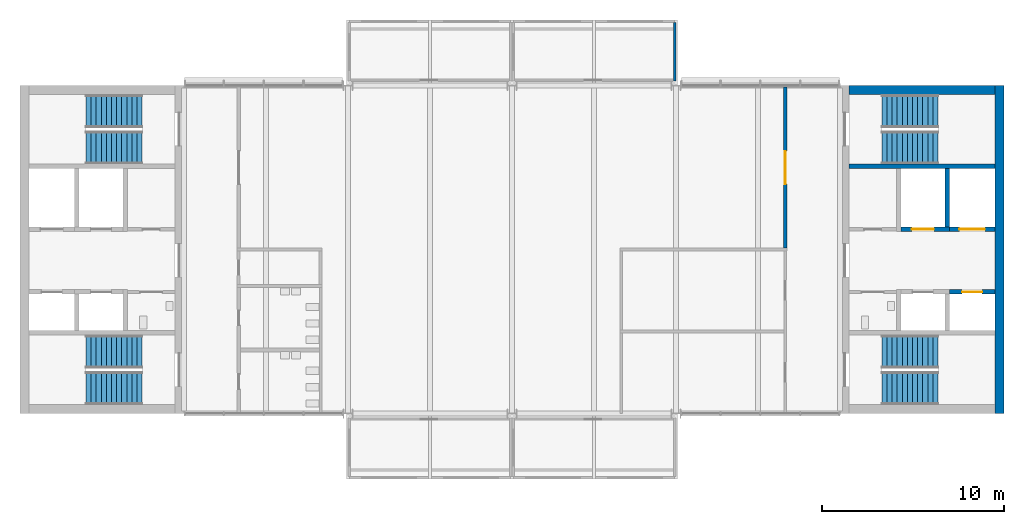
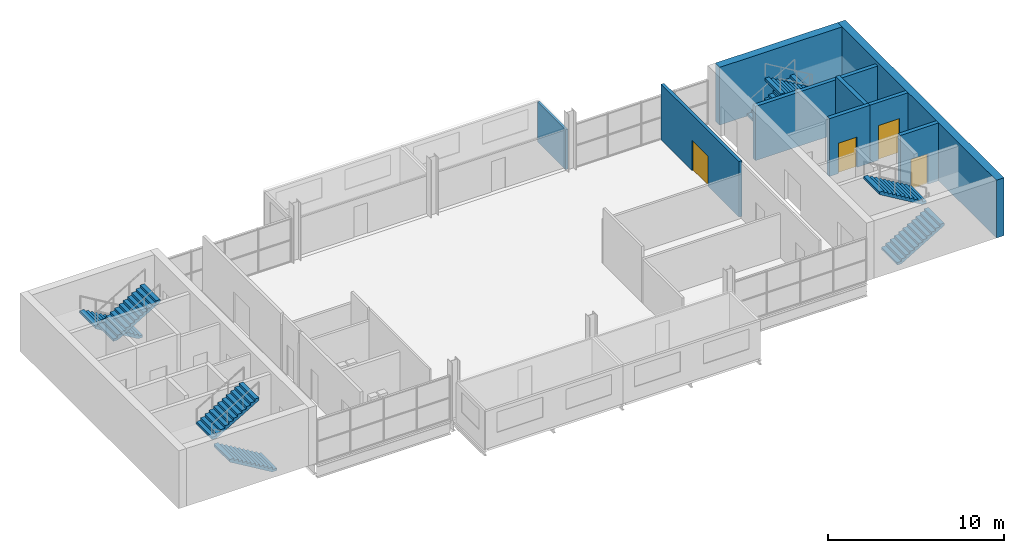
# One storey, part 7 of 10: 9 walls, 8 stair flights, 4 doors, 4 openings, 4 elements without a shape of their own.
"""IFC4 building model written with IfcOpenShell, lengths in metres."""

from ifc_helpers import new_model, si_unit, direction, frame, frame_2d, origin, place, context, subcontext, project, spatial, polyline, rectangle, outline, extrude, material, layer, layer_set, type_object, element, fill, aggregate, save


model = new_model("IFC4")

# Units and contexts
model_context = context("Model", 3, precision=1e-05, world=origin(), true_north=direction((0.0, 1.0)))
body_context = subcontext(model_context, "Body", "Model", "MODEL_VIEW")
ifc_project = project(units=[si_unit("LENGTHUNIT", "METRE"), si_unit("AREAUNIT", "SQUARE_METRE"), si_unit("VOLUMEUNIT", "CUBIC_METRE"), si_unit("PLANEANGLEUNIT", "RADIAN"), si_unit("MASSUNIT", "GRAM", prefix="KILO")], contexts=[model_context])

# Site, building, storey
site_placement = place(None, origin())
site = spatial("IfcSite", under=ifc_project, at=site_placement, CompositionType="ELEMENT")
building_placement = place(site_placement, origin())
building = spatial("IfcBuilding", under=site, at=building_placement, Name="Corbel Yard City Hall", CompositionType="ELEMENT")
storey_placement = place(building_placement, frame((0.0, 0.0, 23.199951171875)))
storey = spatial("IfcBuildingStorey", under=building, at=storey_placement, Name="L05", CompositionType="ELEMENT", Elevation=23.199951171875)

# Wall
ifc_material_1 = material(Name="Concrete N40 (40 MPa)", Category="concrete")
ifc_layer_1 = layer(ifc_material_1, 0.25)
ifc_layer_set_1 = layer_set([ifc_layer_1], Name="Concrete N40 (40 MPa)")
wall_type_1 = type_object("IfcWallType", Name="IW2", PredefinedType="SOLIDWALL", material=ifc_layer_set_1)
wall_1_placement = place(storey_placement, frame((45.5, 112.574951171875, 0.0), z_axis=(0.0, 0.0, 1.0), x_axis=(1.0, 0.0, 0.0)))
element("IfcWall", 1, at=wall_1_placement, inside=storey, type_object=wall_type_1, Name="Stair enclosure wall", PredefinedType="SOLIDWALL", context=body_context, shape_type="SweptSolid", body=[
    extrude(rectangle(XDim=8.0, YDim=0.25, at=frame_2d((4.0, 0.0))), origin(), (0.0, 0.0, 1.0), 3.75),
])

# Wall, opening, door
wall_2_placement = place(storey_placement, frame((51.0, 105.675048828125, 0.0), z_axis=(0.0, 0.0, 1.0), x_axis=(1.0, 0.0, 0.0)))
wall_2 = element("IfcWall", 2, at=wall_2_placement, inside=storey, type_object=wall_type_1, Name="Lift LP26 shaft wall", PredefinedType="SOLIDWALL", context=body_context, shape_type="SweptSolid", body=[
    extrude(rectangle(XDim=2.5, YDim=0.25, at=frame_2d((1.25, 0.0))), origin(), (0.0, 0.0, 1.0), 4.0),
])
opening_1_placement = place(wall_2_placement, frame((0.699951171875, 0.0, 0.0)))
opening_1 = element("IfcOpeningElement", 3, at=opening_1_placement, cuts=wall_2, Name="Opening T1-010", PredefinedType="OPENING", context=body_context, shape_type="SweptSolid", body=[
    extrude(rectangle(XDim=1.10009765625, YDim=2.10009765625, at=frame_2d((0.550048828125, 1.050048828125))), frame((0.0, 0.135009765625, 0.0), z_axis=(0.0, -1.0, 0.0), x_axis=(1.0, 0.0, 0.0)), (0.0, 0.0, 1.0), 0.27001953125),
])
ifc_material_2 = material(Name="Stainless steel Grade 316", Category="steel")
door_type_1 = type_object("IfcDoorType", Name="LD1", OperationType="DOUBLE_DOOR_SLIDING", PredefinedType="DOOR", material=ifc_material_2)
door_1_placement = place(opening_1_placement, origin())
door_1 = element("IfcDoor", 4, at=door_1_placement, inside=storey, type_object=door_type_1, Name="Lift LP26 landing door", OperationType="DOUBLE_DOOR_SLIDING", OverallHeight=2.10009765625, OverallWidth=1.10009765625, PredefinedType="DOOR", context=body_context, shape_type="SweptSolid", body=[
    extrude(rectangle(XDim=1.10009765625, YDim=2.10009765625, at=frame_2d((0.550048828125, 1.050048828125))), frame((0.0, 0.02490234375, 0.0), z_axis=(0.0, -1.0, 0.0), x_axis=(1.0, 0.0, 0.0)), (0.0, 0.0, 1.0), 0.050048828125),
])
fill(opening_1, door_1)

# Wall
wall_3_placement = place(storey_placement, frame((50.875, 109.25, 0.0), z_axis=(0.0, 0.0, 1.0), x_axis=(0.0, 1.0, 0.0)))
element("IfcWall", 5, at=wall_3_placement, inside=storey, type_object=wall_type_1, Name="Lift LF2 shaft wall", PredefinedType="SOLIDWALL", context=body_context, shape_type="SweptSolid", body=[
    extrude(rectangle(XDim=3.199951171875, YDim=0.25, at=frame_2d((1.60009765625, 0.0))), origin(), (0.0, 0.0, 1.0), 4.0),
])

# Wall, opening, door
wall_4_placement = place(storey_placement, frame((48.35009765625, 109.125, 0.0), z_axis=(0.0, 0.0, 1.0), x_axis=(1.0, 0.0, 0.0)))
wall_4 = element("IfcWall", 6, at=wall_4_placement, inside=storey, type_object=wall_type_1, Name="Lift LF2 shaft wall", PredefinedType="SOLIDWALL", context=body_context, shape_type="SweptSolid", body=[
    extrude(rectangle(XDim=2.64990234375, YDim=0.25, at=frame_2d((1.324951171875, 0.0))), origin(), (0.0, 0.0, 1.0), 4.0),
])
opening_2_placement = place(wall_4_placement, frame((0.60009765625, 0.0, 0.0)))
opening_2 = element("IfcOpeningElement", 7, at=opening_2_placement, cuts=wall_4, Name="Opening T1-011", PredefinedType="OPENING", context=body_context, shape_type="SweptSolid", body=[
    extrude(rectangle(XDim=1.199951171875, YDim=2.10009765625, at=frame_2d((0.60009765625, 1.050048828125))), frame((0.0, 0.135009765625, 0.0), z_axis=(0.0, -1.0, 0.0), x_axis=(1.0, 0.0, 0.0)), (0.0, 0.0, 1.0), 0.27001953125),
])
door_type_2 = type_object("IfcDoorType", Name="LD2", OperationType="DOUBLE_DOOR_SLIDING", PredefinedType="DOOR", material=ifc_material_2)
door_2_placement = place(opening_2_placement, origin())
door_2 = element("IfcDoor", 8, at=door_2_placement, inside=storey, type_object=door_type_2, Name="Lift LF2 landing door", OperationType="DOUBLE_DOOR_SLIDING", OverallHeight=2.10009765625, OverallWidth=1.199951171875, PredefinedType="DOOR", context=body_context, shape_type="SweptSolid", body=[
    extrude(rectangle(XDim=1.199951171875, YDim=2.10009765625, at=frame_2d((0.60009765625, 1.050048828125))), frame((0.0, 0.02490234375, 0.0), z_axis=(0.0, -1.0, 0.0), x_axis=(1.0, 0.0, 0.0)), (0.0, 0.0, 1.0), 0.050048828125),
])
fill(opening_2, door_2)

wall_5_placement = place(storey_placement, frame((51.0, 109.125, 0.0), z_axis=(0.0, 0.0, 1.0), x_axis=(1.0, 0.0, 0.0)))
wall_5 = element("IfcWall", 9, at=wall_5_placement, inside=storey, type_object=wall_type_1, Name="Lift LG1 shaft wall", PredefinedType="SOLIDWALL", context=body_context, shape_type="SweptSolid", body=[
    extrude(rectangle(XDim=2.5, YDim=0.25, at=frame_2d((1.25, 0.0))), origin(), (0.0, 0.0, 1.0), 4.0),
])
opening_3_placement = place(wall_5_placement, frame((0.550048828125, 0.0, 0.0)))
opening_3 = element("IfcOpeningElement", 10, at=opening_3_placement, cuts=wall_5, Name="Opening T1-012", PredefinedType="OPENING", context=body_context, shape_type="SweptSolid", body=[
    extrude(rectangle(XDim=1.39990234375, YDim=2.39990234375, at=frame_2d((0.699951171875, 1.199951171875))), frame((0.0, 0.135009765625, 0.0), z_axis=(0.0, -1.0, 0.0), x_axis=(1.0, 0.0, 0.0)), (0.0, 0.0, 1.0), 0.27001953125),
])
door_type_3 = type_object("IfcDoorType", Name="LD3", OperationType="DOUBLE_DOOR_SLIDING", PredefinedType="DOOR", material=ifc_material_2)
door_3_placement = place(opening_3_placement, origin())
door_3 = element("IfcDoor", 11, at=door_3_placement, inside=storey, type_object=door_type_3, Name="Lift LG1 landing door", OperationType="DOUBLE_DOOR_SLIDING", OverallHeight=2.39990234375, OverallWidth=1.39990234375, PredefinedType="DOOR", context=body_context, shape_type="SweptSolid", body=[
    extrude(rectangle(XDim=1.39990234375, YDim=2.39990234375, at=frame_2d((0.699951171875, 1.199951171875))), frame((0.0, 0.02490234375, 0.0), z_axis=(0.0, -1.0, 0.0), x_axis=(1.0, 0.0, 0.0)), (0.0, 0.0, 1.0), 0.050048828125),
])
fill(opening_3, door_3)

# Wall
ifc_material_3 = material(Name="Anodised aluminium", Category="aluminium")
ifc_layer_2 = layer(ifc_material_3, 0.02392578125)
ifc_material_4 = material(Name="Steel Grade G550 (550 MPa yield)", Category="steel")
ifc_layer_3 = layer(ifc_material_4, 0.10009765625)
ifc_material_5 = material(Name="Gypsum plasterboard", Category="gypsum")
ifc_layer_4 = layer(ifc_material_5, 0.02587890625)
ifc_layer_set_2 = layer_set([ifc_layer_2, ifc_layer_3, ifc_layer_4], Name="Steel Grade G550 (550 MPa yield)")
wall_type_2 = type_object("IfcWallType", Name="PD3", PredefinedType="SOLIDWALL", material=ifc_layer_set_2)
wall_6_placement = place(storey_placement, frame((35.925048828125, 120.449951171875, -0.14990234375), z_axis=(0.0, 0.0, 1.0), x_axis=(0.0, -1.0, 0.0)))
element("IfcWall", 12, at=wall_6_placement, inside=storey, type_object=wall_type_2, Name="Pod side wall L05", PredefinedType="SOLIDWALL", context=body_context, shape_type="SweptSolid", body=[
    extrude(rectangle(XDim=3.199951171875, YDim=0.14990234375, at=frame_2d((1.60009765625, 0.0))), origin(), (0.0, 0.0, 1.0), 2.75),
])

# Wall, opening, door
ifc_layer_5 = layer(ifc_material_5, 0.031982421875)
ifc_layer_6 = layer(ifc_material_4, 0.135986328125)
ifc_layer_7 = layer(ifc_material_5, 0.031982421875)
ifc_layer_set_3 = layer_set([ifc_layer_5, ifc_layer_6, ifc_layer_7], Name="Steel Grade G550 (550 MPa yield)")
wall_type_3 = type_object("IfcWallType", Name="PT2", PredefinedType="PARTITIONING", material=ifc_layer_set_3)
wall_7_placement = place(storey_placement, frame((42.0, 108.074951171875, 0.0), z_axis=(0.0, 0.0, 1.0), x_axis=(0.0, 1.0, 0.0)))
wall_7 = element("IfcWall", 13, at=wall_7_placement, inside=storey, type_object=wall_type_3, Name="Acoustic wall", PredefinedType="PARTITIONING", context=body_context, shape_type="SweptSolid", body=[
    extrude(rectangle(XDim=8.8349609375, YDim=0.199951171875, at=frame_2d((4.41748046875, 0.0))), origin(), (0.0, 0.0, 1.0), 3.85009765625),
])
opening_4_placement = place(wall_7_placement, frame((3.52490234375, 0.0, 0.0)))
opening_4 = element("IfcOpeningElement", 14, at=opening_4_placement, cuts=wall_7, Name="Opening T1-017", PredefinedType="OPENING", context=body_context, shape_type="SweptSolid", body=[
    extrude(rectangle(XDim=1.800048828125, YDim=2.10009765625, at=frame_2d((0.89990234375, 1.050048828125))), frame((0.0, 0.10986328125, 0.0), z_axis=(0.0, -1.0, 0.0), x_axis=(1.0, 0.0, 0.0)), (0.0, 0.0, 1.0), 0.219970703125),
])
ifc_material_6 = material(Name="Timber", Category="wood")
door_type_4 = type_object("IfcDoorType", Name="D3", OperationType="DOUBLE_DOOR_SINGLE_SWING", PredefinedType="DOOR", material=ifc_material_6)
door_4_placement = place(opening_4_placement, origin())
door_4 = element("IfcDoor", 15, at=door_4_placement, inside=storey, type_object=door_type_4, Name="Door Open Office 0506", OperationType="DOUBLE_DOOR_SINGLE_SWING", OverallHeight=2.10009765625, OverallWidth=1.800048828125, PredefinedType="DOOR", context=body_context, shape_type="SweptSolid", body=[
    extrude(rectangle(XDim=1.800048828125, YDim=2.10009765625, at=frame_2d((0.89990234375, 1.050048828125))), frame((0.0, 0.02490234375, 0.0), z_axis=(0.0, -1.0, 0.0), x_axis=(1.0, 0.0, 0.0)), (0.0, 0.0, 1.0), 0.050048828125),
])
fill(opening_4, door_4)

# Walls
ifc_material_7 = material(Name="Concrete N50 (50 MPa)", Category="concrete")
ifc_layer_8 = layer(ifc_material_7, 0.5)
ifc_layer_set_4 = layer_set([ifc_layer_8], Name="Concrete N50 (50 MPa)")
wall_type_4 = type_object("IfcWallType", Name="Trunk wall 500", PredefinedType="SHEAR", material=ifc_layer_set_4)
wall_8_placement = place(storey_placement, frame((53.75, 99.0, 0.0), z_axis=(0.0, 0.0, 1.0), x_axis=(0.0, 1.0, 0.0)))
element("IfcWall", 16, at=wall_8_placement, inside=storey, type_object=wall_type_4, Name="Trunk E east wall", PredefinedType="SHEAR", context=body_context, shape_type="SweptSolid", body=[
    extrude(rectangle(XDim=18.0, YDim=0.5, at=frame_2d((9.0, 0.0))), origin(), (0.0, 0.0, 1.0), 4.0),
])
wall_9_placement = place(storey_placement, frame((45.5, 116.75, 0.0), z_axis=(0.0, 0.0, 1.0), x_axis=(1.0, 0.0, 0.0)))
element("IfcWall", 17, at=wall_9_placement, inside=storey, type_object=wall_type_4, Name="Trunk E north wall", PredefinedType="SHEAR", context=body_context, shape_type="SweptSolid", body=[
    extrude(rectangle(XDim=8.0, YDim=0.5, at=frame_2d((4.0, 0.0))), origin(), (0.0, 0.0, 1.0), 4.0),
])

# Stair, stair flights
stair_type = type_object("IfcStairType", Name="ST4", PredefinedType="HALF_TURN_STAIR", material=ifc_material_1)
stair_1_placement = place(storey_placement, origin())
stair_1 = element("IfcStair", 18, at=stair_1_placement, inside=storey, type_object=stair_type, Name="Exit stair ST-W1 L05", PredefinedType="HALF_TURN_STAIR")
stair_flight_type = type_object("IfcStairFlightType", Name="FL4", PredefinedType="STRAIGHT", material=ifc_material_1)
stair_flight_1_placement = place(storey_placement, frame((6.699951171875, 100.39990234375, 0.0), z_axis=(0.0, 0.0, 1.0), x_axis=(-1.0, 0.0, 0.0)))
stair_flight_1 = element("IfcStairFlight", 19, at=stair_flight_1_placement, type_object=stair_flight_type, Name="ST-W1 flight 1", NumberOfRisers=12, NumberOfTreads=11, PredefinedType="STRAIGHT", RiserHeight=0.166667, TreadLength=0.28, context=body_context, shape_type="SweptSolid", body=[
    extrude(outline(polyline([(0.0, 0.0), (0.0, 0.166748046875), (0.280029296875, 0.166748046875), (0.280029296875, 0.333251953125), (0.56005859375, 0.333251953125), (0.56005859375, 0.5), (0.840087890625, 0.5), (0.840087890625, 0.666748046875), (1.1201171875, 0.666748046875), (1.1201171875, 0.833251953125), (1.39990234375, 0.833251953125), (1.39990234375, 1.0), (1.679931640625, 1.0), (1.679931640625, 1.166748046875), (1.9599609375, 1.166748046875), (1.9599609375, 1.333251953125), (2.239990234375, 1.333251953125), (2.239990234375, 1.5), (2.52001953125, 1.5), (2.52001953125, 1.666748046875), (2.800048828125, 1.666748046875), (2.800048828125, 1.833251953125), (3.080078125, 1.833251953125), (3.080078125, 2.0), (3.080078125, 1.658935546875), (0.29296875, 0.0), (0.0, 0.0)])), frame((0.0, 0.89990234375, 0.0), z_axis=(0.0, -1.0, 0.0), x_axis=(1.0, 0.0, 0.0)), (0.0, 0.0, 1.0), 1.800048828125),
])
stair_flight_2_placement = place(storey_placement, frame((3.6201171875, 102.39990234375, 2.0), z_axis=(0.0, 0.0, 1.0), x_axis=(1.0, 0.0, 0.0)))
stair_flight_2 = element("IfcStairFlight", 20, at=stair_flight_2_placement, type_object=stair_flight_type, Name="ST-W1 flight 2", NumberOfRisers=12, NumberOfTreads=11, PredefinedType="STRAIGHT", RiserHeight=0.166667, TreadLength=0.28, context=body_context, shape_type="SweptSolid", body=[
    extrude(outline(polyline([(0.0, 0.0), (0.0, 0.166748046875), (0.280029296875, 0.166748046875), (0.280029296875, 0.333251953125), (0.56005859375, 0.333251953125), (0.56005859375, 0.5), (0.840087890625, 0.5), (0.840087890625, 0.666748046875), (1.1201171875, 0.666748046875), (1.1201171875, 0.833251953125), (1.39990234375, 0.833251953125), (1.39990234375, 1.0), (1.679931640625, 1.0), (1.679931640625, 1.166748046875), (1.9599609375, 1.166748046875), (1.9599609375, 1.333251953125), (2.239990234375, 1.333251953125), (2.239990234375, 1.5), (2.52001953125, 1.5), (2.52001953125, 1.666748046875), (2.800048828125, 1.666748046875), (2.800048828125, 1.833251953125), (3.080078125, 1.833251953125), (3.080078125, 2.0), (3.080078125, 1.658935546875), (0.29296875, 0.0), (0.0, 0.0)])), frame((0.0, 0.89990234375, 0.0), z_axis=(0.0, -1.0, 0.0), x_axis=(1.0, 0.0, 0.0)), (0.0, 0.0, 1.0), 1.800048828125),
])
aggregate(stair_1, [stair_flight_1, stair_flight_2])

stair_2_placement = place(storey_placement, origin())
stair_2 = element("IfcStair", 21, at=stair_2_placement, inside=storey, type_object=stair_type, Name="Exit stair ST-W2 L05", PredefinedType="HALF_TURN_STAIR")
stair_flight_3_placement = place(storey_placement, frame((6.699951171875, 115.60009765625, 0.0), z_axis=(0.0, 0.0, 1.0), x_axis=(-1.0, 0.0, 0.0)))
stair_flight_3 = element("IfcStairFlight", 22, at=stair_flight_3_placement, type_object=stair_flight_type, Name="ST-W2 flight 1", NumberOfRisers=12, NumberOfTreads=11, PredefinedType="STRAIGHT", RiserHeight=0.166667, TreadLength=0.28, context=body_context, shape_type="SweptSolid", body=[
    extrude(outline(polyline([(0.0, 0.0), (0.0, 0.166748046875), (0.280029296875, 0.166748046875), (0.280029296875, 0.333251953125), (0.56005859375, 0.333251953125), (0.56005859375, 0.5), (0.840087890625, 0.5), (0.840087890625, 0.666748046875), (1.1201171875, 0.666748046875), (1.1201171875, 0.833251953125), (1.39990234375, 0.833251953125), (1.39990234375, 1.0), (1.679931640625, 1.0), (1.679931640625, 1.166748046875), (1.9599609375, 1.166748046875), (1.9599609375, 1.333251953125), (2.239990234375, 1.333251953125), (2.239990234375, 1.5), (2.52001953125, 1.5), (2.52001953125, 1.666748046875), (2.800048828125, 1.666748046875), (2.800048828125, 1.833251953125), (3.080078125, 1.833251953125), (3.080078125, 2.0), (3.080078125, 1.658935546875), (0.29296875, 0.0), (0.0, 0.0)])), frame((0.0, 0.89990234375, 0.0), z_axis=(0.0, -1.0, 0.0), x_axis=(1.0, 0.0, 0.0)), (0.0, 0.0, 1.0), 1.800048828125),
])
stair_flight_4_placement = place(storey_placement, frame((3.6201171875, 113.60009765625, 2.0), z_axis=(0.0, 0.0, 1.0), x_axis=(1.0, 0.0, 0.0)))
stair_flight_4 = element("IfcStairFlight", 23, at=stair_flight_4_placement, type_object=stair_flight_type, Name="ST-W2 flight 2", NumberOfRisers=12, NumberOfTreads=11, PredefinedType="STRAIGHT", RiserHeight=0.166667, TreadLength=0.28, context=body_context, shape_type="SweptSolid", body=[
    extrude(outline(polyline([(0.0, 0.0), (0.0, 0.166748046875), (0.280029296875, 0.166748046875), (0.280029296875, 0.333251953125), (0.56005859375, 0.333251953125), (0.56005859375, 0.5), (0.840087890625, 0.5), (0.840087890625, 0.666748046875), (1.1201171875, 0.666748046875), (1.1201171875, 0.833251953125), (1.39990234375, 0.833251953125), (1.39990234375, 1.0), (1.679931640625, 1.0), (1.679931640625, 1.166748046875), (1.9599609375, 1.166748046875), (1.9599609375, 1.333251953125), (2.239990234375, 1.333251953125), (2.239990234375, 1.5), (2.52001953125, 1.5), (2.52001953125, 1.666748046875), (2.800048828125, 1.666748046875), (2.800048828125, 1.833251953125), (3.080078125, 1.833251953125), (3.080078125, 2.0), (3.080078125, 1.658935546875), (0.29296875, 0.0), (0.0, 0.0)])), frame((0.0, 0.89990234375, 0.0), z_axis=(0.0, -1.0, 0.0), x_axis=(1.0, 0.0, 0.0)), (0.0, 0.0, 1.0), 1.800048828125),
])
aggregate(stair_2, [stair_flight_3, stair_flight_4])

stair_3_placement = place(storey_placement, origin())
stair_3 = element("IfcStair", 24, at=stair_3_placement, inside=storey, type_object=stair_type, Name="Exit stair ST-E1 L05", PredefinedType="HALF_TURN_STAIR")
stair_flight_5_placement = place(storey_placement, frame((47.300048828125, 100.39990234375, 0.0), z_axis=(0.0, 0.0, 1.0), x_axis=(1.0, 0.0, 0.0)))
stair_flight_5 = element("IfcStairFlight", 25, at=stair_flight_5_placement, type_object=stair_flight_type, Name="ST-E1 flight 1", NumberOfRisers=12, NumberOfTreads=11, PredefinedType="STRAIGHT", RiserHeight=0.166667, TreadLength=0.28, context=body_context, shape_type="SweptSolid", body=[
    extrude(outline(polyline([(0.0, 0.0), (0.0, 0.166748046875), (0.280029296875, 0.166748046875), (0.280029296875, 0.333251953125), (0.56005859375, 0.333251953125), (0.56005859375, 0.5), (0.840087890625, 0.5), (0.840087890625, 0.666748046875), (1.1201171875, 0.666748046875), (1.1201171875, 0.833251953125), (1.39990234375, 0.833251953125), (1.39990234375, 1.0), (1.679931640625, 1.0), (1.679931640625, 1.166748046875), (1.9599609375, 1.166748046875), (1.9599609375, 1.333251953125), (2.239990234375, 1.333251953125), (2.239990234375, 1.5), (2.52001953125, 1.5), (2.52001953125, 1.666748046875), (2.800048828125, 1.666748046875), (2.800048828125, 1.833251953125), (3.080078125, 1.833251953125), (3.080078125, 2.0), (3.080078125, 1.658935546875), (0.29296875, 0.0), (0.0, 0.0)])), frame((0.0, 0.89990234375, 0.0), z_axis=(0.0, -1.0, 0.0), x_axis=(1.0, 0.0, 0.0)), (0.0, 0.0, 1.0), 1.800048828125),
])
stair_flight_6_placement = place(storey_placement, frame((50.3798828125, 102.39990234375, 2.0), z_axis=(0.0, 0.0, 1.0), x_axis=(-1.0, 0.0, 0.0)))
stair_flight_6 = element("IfcStairFlight", 26, at=stair_flight_6_placement, type_object=stair_flight_type, Name="ST-E1 flight 2", NumberOfRisers=12, NumberOfTreads=11, PredefinedType="STRAIGHT", RiserHeight=0.166667, TreadLength=0.28, context=body_context, shape_type="SweptSolid", body=[
    extrude(outline(polyline([(0.0, 0.0), (0.0, 0.166748046875), (0.280029296875, 0.166748046875), (0.280029296875, 0.333251953125), (0.56005859375, 0.333251953125), (0.56005859375, 0.5), (0.840087890625, 0.5), (0.840087890625, 0.666748046875), (1.1201171875, 0.666748046875), (1.1201171875, 0.833251953125), (1.39990234375, 0.833251953125), (1.39990234375, 1.0), (1.679931640625, 1.0), (1.679931640625, 1.166748046875), (1.9599609375, 1.166748046875), (1.9599609375, 1.333251953125), (2.239990234375, 1.333251953125), (2.239990234375, 1.5), (2.52001953125, 1.5), (2.52001953125, 1.666748046875), (2.800048828125, 1.666748046875), (2.800048828125, 1.833251953125), (3.080078125, 1.833251953125), (3.080078125, 2.0), (3.080078125, 1.658935546875), (0.29296875, 0.0), (0.0, 0.0)])), frame((0.0, 0.89990234375, 0.0), z_axis=(0.0, -1.0, 0.0), x_axis=(1.0, 0.0, 0.0)), (0.0, 0.0, 1.0), 1.800048828125),
])
aggregate(stair_3, [stair_flight_5, stair_flight_6])

stair_4_placement = place(storey_placement, origin())
stair_4 = element("IfcStair", 27, at=stair_4_placement, inside=storey, type_object=stair_type, Name="Exit stair ST-E2 L05", PredefinedType="HALF_TURN_STAIR")
stair_flight_7_placement = place(storey_placement, frame((47.300048828125, 115.60009765625, 0.0), z_axis=(0.0, 0.0, 1.0), x_axis=(1.0, 0.0, 0.0)))
stair_flight_7 = element("IfcStairFlight", 28, at=stair_flight_7_placement, type_object=stair_flight_type, Name="ST-E2 flight 1", NumberOfRisers=12, NumberOfTreads=11, PredefinedType="STRAIGHT", RiserHeight=0.166667, TreadLength=0.28, context=body_context, shape_type="SweptSolid", body=[
    extrude(outline(polyline([(0.0, 0.0), (0.0, 0.166748046875), (0.280029296875, 0.166748046875), (0.280029296875, 0.333251953125), (0.56005859375, 0.333251953125), (0.56005859375, 0.5), (0.840087890625, 0.5), (0.840087890625, 0.666748046875), (1.1201171875, 0.666748046875), (1.1201171875, 0.833251953125), (1.39990234375, 0.833251953125), (1.39990234375, 1.0), (1.679931640625, 1.0), (1.679931640625, 1.166748046875), (1.9599609375, 1.166748046875), (1.9599609375, 1.333251953125), (2.239990234375, 1.333251953125), (2.239990234375, 1.5), (2.52001953125, 1.5), (2.52001953125, 1.666748046875), (2.800048828125, 1.666748046875), (2.800048828125, 1.833251953125), (3.080078125, 1.833251953125), (3.080078125, 2.0), (3.080078125, 1.658935546875), (0.29296875, 0.0), (0.0, 0.0)])), frame((0.0, 0.89990234375, 0.0), z_axis=(0.0, -1.0, 0.0), x_axis=(1.0, 0.0, 0.0)), (0.0, 0.0, 1.0), 1.800048828125),
])
stair_flight_8_placement = place(storey_placement, frame((50.3798828125, 113.60009765625, 2.0), z_axis=(0.0, 0.0, 1.0), x_axis=(-1.0, 0.0, 0.0)))
stair_flight_8 = element("IfcStairFlight", 29, at=stair_flight_8_placement, type_object=stair_flight_type, Name="ST-E2 flight 2", NumberOfRisers=12, NumberOfTreads=11, PredefinedType="STRAIGHT", RiserHeight=0.166667, TreadLength=0.28, context=body_context, shape_type="SweptSolid", body=[
    extrude(outline(polyline([(0.0, 0.0), (0.0, 0.166748046875), (0.280029296875, 0.166748046875), (0.280029296875, 0.333251953125), (0.56005859375, 0.333251953125), (0.56005859375, 0.5), (0.840087890625, 0.5), (0.840087890625, 0.666748046875), (1.1201171875, 0.666748046875), (1.1201171875, 0.833251953125), (1.39990234375, 0.833251953125), (1.39990234375, 1.0), (1.679931640625, 1.0), (1.679931640625, 1.166748046875), (1.9599609375, 1.166748046875), (1.9599609375, 1.333251953125), (2.239990234375, 1.333251953125), (2.239990234375, 1.5), (2.52001953125, 1.5), (2.52001953125, 1.666748046875), (2.800048828125, 1.666748046875), (2.800048828125, 1.833251953125), (3.080078125, 1.833251953125), (3.080078125, 2.0), (3.080078125, 1.658935546875), (0.29296875, 0.0), (0.0, 0.0)])), frame((0.0, 0.89990234375, 0.0), z_axis=(0.0, -1.0, 0.0), x_axis=(1.0, 0.0, 0.0)), (0.0, 0.0, 1.0), 1.800048828125),
])
aggregate(stair_4, [stair_flight_7, stair_flight_8])

save(model, "model.ifc")
